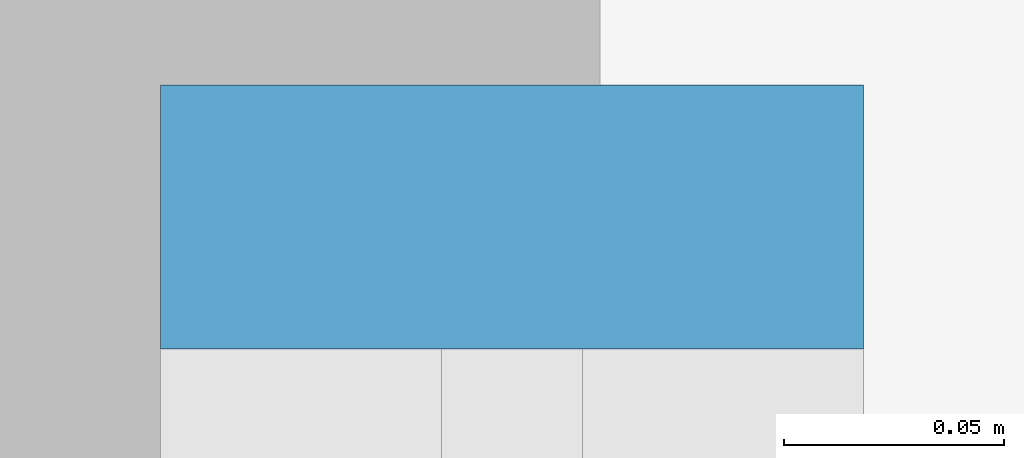
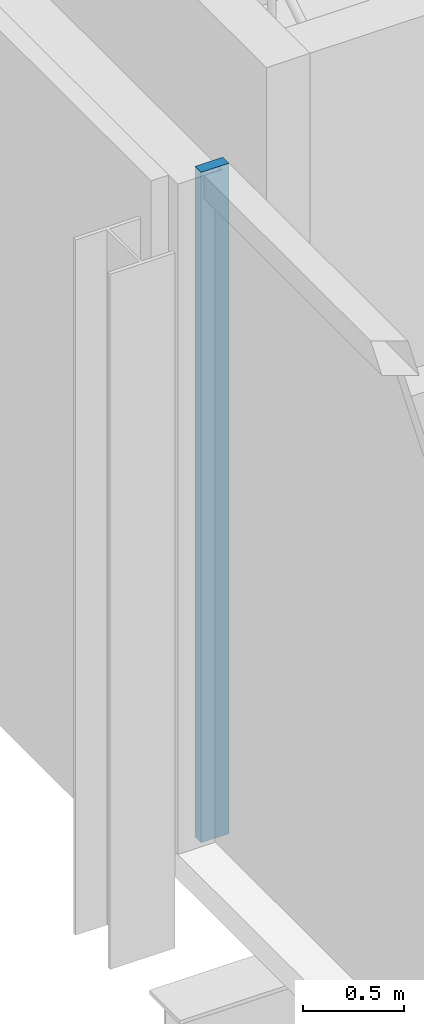
# One storey, part 7 of 28: 1 member, 1 element without a shape of its own.
"""IFC4 building model written with IfcOpenShell, lengths in metres."""

import ifcopenshell
import ifcopenshell.guid

model = None  # the IFC model being written
_history = None  # IfcOwnerHistory: only IFC2X3 demands one
_inside = {}  # id of a spatial element -> (the spatial element, [elements in it])
_under = {}  # id of a project, library or spatial element -> (it, [spatial elements below it])
_declared = {}  # id of a project -> (the project, [libraries it declares])
_typed = {}  # id of a type object -> (the type object, [elements of that type])
_made_of = {}  # id of a material, layer set ... -> (it, [elements and type objects made of it])


def new_model(schema):
    """Start an empty IFC model of exactly this schema.

    Asked for "IFC4X3", IfcOpenShell would pick the latest addendum, in which some entities
    have other attributes; the version numbers below select the first issue.
    IFC2X3 requires an IfcOwnerHistory on every rooted entity: one is made here for all.
    """
    global model, _history
    if schema == "IFC4X3":
        model = ifcopenshell.file(schema_version=(4, 3, 0, 0))
    else:
        model = ifcopenshell.file(schema=schema)
    _inside.clear()
    _under.clear()
    _declared.clear()
    _typed.clear()
    _made_of.clear()
    _history = None
    if model.schema == "IFC2X3":
        org = make("IfcOrganization", Name="unknown")
        user = make(
            "IfcPersonAndOrganization",
            ThePerson=make("IfcPerson", FamilyName="unknown"),
            TheOrganization=org,
        )
        app = make(
            "IfcApplication",
            ApplicationDeveloper=org,
            Version="unknown",
            ApplicationFullName="unknown",
            ApplicationIdentifier="unknown",
        )
        _history = make(
            "IfcOwnerHistory",
            OwningUser=user,
            OwningApplication=app,
            ChangeAction="ADDED",
            CreationDate=0,
        )
    return model


def make(cls, **values):
    """One entity of the class cls with the attributes given. An attribute that is None is left unset."""
    return model.create_entity(
        cls, **{name: value for name, value in values.items() if value is not None}
    )


def rooted(cls, **values):
    """An entity with a GlobalId (a new one), such as an element, a storey or a relation."""
    return make(cls, GlobalId=ifcopenshell.guid.new(), OwnerHistory=_history, **values)


def si_unit(unit_type, name, prefix=None):
    """IfcSIUnit, for example si_unit("LENGTHUNIT", "METRE", prefix="MILLI")."""
    return make("IfcSIUnit", UnitType=unit_type, Prefix=prefix, Name=name)


def assignment(units):
    """IfcUnitAssignment: the units of a project."""
    return None if units is None else make("IfcUnitAssignment", Units=units)


def point(xyz):
    """IfcCartesianPoint."""
    return None if xyz is None else make("IfcCartesianPoint", Coordinates=xyz)


def direction(xyz):
    """IfcDirection."""
    return None if xyz is None else make("IfcDirection", DirectionRatios=xyz)


def frame(location, z_axis=None, x_axis=None):
    """IfcAxis2Placement3D, a coordinate frame: its origin and axes. An axis left out is left unset."""
    return make(
        "IfcAxis2Placement3D",
        Location=point(location),
        Axis=direction(z_axis),
        RefDirection=direction(x_axis),
    )


def frame_2d(location, x_axis=None):
    """IfcAxis2Placement2D, a coordinate frame in the plane: its origin and x axis."""
    return make(
        "IfcAxis2Placement2D", Location=point(location), RefDirection=direction(x_axis)
    )


def origin():
    """The frame at (0, 0, 0) with its axes left unset."""
    return frame((0.0, 0.0, 0.0))


def origin_2d():
    """The frame at (0, 0) in the plane with its x axis left unset."""
    return frame_2d((0.0, 0.0))


def place(relative_to, where):
    """IfcLocalPlacement: puts the frame where relative to a parent placement (None: the world)."""
    return make(
        "IfcLocalPlacement", PlacementRelTo=relative_to, RelativePlacement=where
    )


def context(
    kind, dimensions, precision=None, world=None, true_north=None, identifier=None
):
    """IfcGeometricRepresentationContext, for example the 3D "Model" context."""
    return make(
        "IfcGeometricRepresentationContext",
        ContextIdentifier=identifier,
        ContextType=kind,
        CoordinateSpaceDimension=dimensions,
        Precision=precision,
        WorldCoordinateSystem=world,
        TrueNorth=true_north,
    )


def subcontext(parent, identifier, kind, view, scale=None):
    """IfcGeometricRepresentationSubContext, for example "Body" below "Model"."""
    return make(
        "IfcGeometricRepresentationSubContext",
        ContextIdentifier=identifier,
        ContextType=kind,
        ParentContext=parent,
        TargetScale=scale,
        TargetView=view,
    )


def project(units=None, contexts=None):
    """IfcProject with its units and contexts."""
    return rooted(
        "IfcProject",
        Name="project",
        RepresentationContexts=contexts,
        UnitsInContext=assignment(units),
    )


def spatial(cls, under=None, at=None, **own):
    """A site, building, storey or space (cls), placed at a placement, below another one or the project."""
    s = rooted(cls, ObjectPlacement=at, **own)
    if under is not None:
        _under.setdefault(under.id(), (under, []))[1].append(s)
    return s


def profile(cls, at=None, kind="AREA", **sizes):
    """A parametric profile (cls). Its sizes go by their IFC names, for example OverallWidth=200.0."""
    return make(cls, ProfileType=kind, Position=at, **sizes)


def rectangle(**sizes):
    """IfcRectangleProfileDef."""
    return profile("IfcRectangleProfileDef", **sizes)


def extrude(swept, where, along, depth):
    """IfcExtrudedAreaSolid: the profile swept, set in the frame where, extruded along a direction by depth."""
    return make(
        "IfcExtrudedAreaSolid",
        SweptArea=swept,
        Position=where,
        ExtrudedDirection=direction(along),
        Depth=depth,
    )


def shape(context_of_items, identifier, shape_type, items):
    """IfcShapeRepresentation: the items that make up one representation, for example the "Body"."""
    return make(
        "IfcShapeRepresentation",
        ContextOfItems=context_of_items,
        RepresentationIdentifier=identifier,
        RepresentationType=shape_type,
        Items=items,
    )


def material(Name=None, Category=None):
    """IfcMaterial."""
    return make("IfcMaterial", Name=Name, Category=Category)


def material_profile(
    of_material, cross_section, Name=None, Category=None, Priority=None
):
    """IfcMaterialProfile: a cross section and its material."""
    return make(
        "IfcMaterialProfile",
        Name=Name,
        Material=of_material,
        Profile=cross_section,
        Priority=Priority,
        Category=Category,
    )


def profile_set(profiles, Name=None, composite=None):
    """IfcMaterialProfileSet."""
    return make(
        "IfcMaterialProfileSet",
        Name=Name,
        MaterialProfiles=profiles,
        CompositeProfile=composite,
    )


def made_of(thing, what):
    """Note that an element or type object is made of a material, layer set ...; save() writes the relation."""
    if what is not None:
        _made_of.setdefault(what.id(), (what, []))[1].append(thing)
    return thing


def type_object(cls, material=None, **own):
    """A type object (cls), such as IfcWallType, which elements share."""
    return made_of(rooted(cls, **own), material)


def element(
    cls,
    number,
    at=None,
    inside=None,
    cuts=None,
    type_object=None,
    material=None,
    context=None,
    identifier="Body",
    shape_type=None,
    held_by="IfcProductDefinitionShape",
    body=None,
    shapes=None,
    **own,
):
    """One element of the class cls, such as IfcWall. Its Tag is "e" and its number.

    at: its placement. inside: the storey or other place that contains it. cuts: it is an
    opening in that element (IfcRelVoidsElement). A single representation is given by context,
    identifier, shape_type and body (its items); several are given by shapes. held_by: the class
    of the entity that holds the representations. save() writes the other relations.
    """
    e = rooted(cls, Tag="e%d" % number, ObjectPlacement=at, **own)
    if body is not None:
        shapes = [shape(context, identifier, shape_type, body)]
    if shapes is not None:
        e.Representation = make(held_by, Representations=shapes)
    if inside is not None:
        _inside.setdefault(inside.id(), (inside, []))[1].append(e)
    if cuts is not None:
        rooted(
            "IfcRelVoidsElement", RelatingBuildingElement=cuts, RelatedOpeningElement=e
        )
    if type_object is not None:
        _typed.setdefault(type_object.id(), (type_object, []))[1].append(e)
    return made_of(e, material)


def aggregate(whole, parts):
    """IfcRelAggregates: a whole, such as a stair, and the parts it consists of."""
    return rooted("IfcRelAggregates", RelatingObject=whole, RelatedObjects=parts)


def save(model, path):
    """Write the relations noted so far, then the file.

    IfcRelAggregates (storeys below a building ...), IfcRelContainedInSpatialStructure (elements
    in a storey), IfcRelDefinesByType, IfcRelAssociatesMaterial and IfcRelDeclares: one each for
    every whole, place, type object, material and project.
    """
    for whole, parts in _under.values():
        aggregate(whole, parts)
    for where, things in _inside.values():
        rooted(
            "IfcRelContainedInSpatialStructure",
            RelatedElements=things,
            RelatingStructure=where,
        )
    for kind, things in _typed.values():
        rooted("IfcRelDefinesByType", RelatedObjects=things, RelatingType=kind)
    for what, things in _made_of.values():
        rooted("IfcRelAssociatesMaterial", RelatedObjects=things, RelatingMaterial=what)
    for by, libraries in _declared.values():
        rooted("IfcRelDeclares", RelatingContext=by, RelatedDefinitions=libraries)
    model.write(path)


model = new_model("IFC4")

# Units and contexts
model_context = context("Model", 3, precision=1e-05, world=origin(), true_north=direction((0.0, 1.0)))
body_context = subcontext(model_context, "Body", "Model", "MODEL_VIEW")
ifc_project = project(units=[si_unit("LENGTHUNIT", "METRE"), si_unit("AREAUNIT", "SQUARE_METRE"), si_unit("VOLUMEUNIT", "CUBIC_METRE"), si_unit("PLANEANGLEUNIT", "RADIAN"), si_unit("MASSUNIT", "GRAM", prefix="KILO")], contexts=[model_context])

# Site, building, storey
site_placement = place(None, origin())
site = spatial("IfcSite", under=ifc_project, at=site_placement, CompositionType="ELEMENT")
building_placement = place(site_placement, origin())
building = spatial("IfcBuilding", under=site, at=building_placement, Name="Bicima Exchange Tower", CompositionType="ELEMENT")
storey_placement = place(building_placement, frame((0.0, 0.0, 241.39990234375)))
storey = spatial("IfcBuildingStorey", under=building, at=storey_placement, Name="L54", CompositionType="ELEMENT", Elevation=241.39990234375)

# Curtain wall, member
ifc_material = material(Name="Anodised bronze aluminium", Category="aluminium")
curtain_wall_type = type_object("IfcCurtainWallType", Name="End face glass wall", PredefinedType="NOTDEFINED", material=ifc_material)
curtain_wall_placement = place(storey_placement, origin())
curtain_wall = element("IfcCurtainWall", 1, at=curtain_wall_placement, inside=storey, type_object=curtain_wall_type, Name="End face glass wall L54 run 6", PredefinedType="NOTDEFINED")
ifc_material_profile = material_profile(ifc_material, rectangle(XDim=0.159912109375, YDim=0.06005859375, at=origin_2d()))
ifc_profile_set = profile_set([ifc_material_profile], Name="Anodised bronze aluminium")
member_type = type_object("IfcMemberType", Name="End face glass wall mullion 60 x 160", PredefinedType="MULLION", material=ifc_profile_set)
member_placement = place(storey_placement, frame((-32.77001953125, -12.030029296875, 0.0), z_axis=(0.0, 0.0, 1.0), x_axis=(1.0, 0.0, 0.0)))
member = element("IfcMember", 2, at=member_placement, type_object=member_type, Name="End face glass wall mullion 1", PredefinedType="MULLION", context=body_context, shape_type="SweptSolid", body=[
    extrude(rectangle(XDim=0.159912109375, YDim=0.06005859375, at=origin_2d()), origin(), (0.0, 0.0, 1.0), 4.050048828125),
])
aggregate(curtain_wall, [member])

save(model, "model.ifc")
